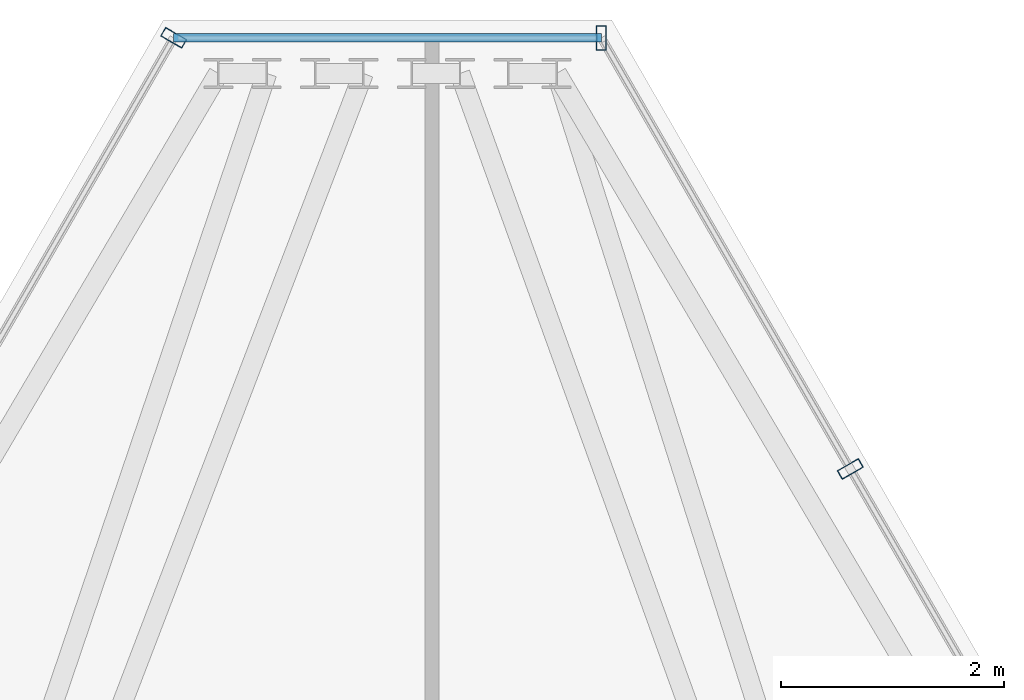
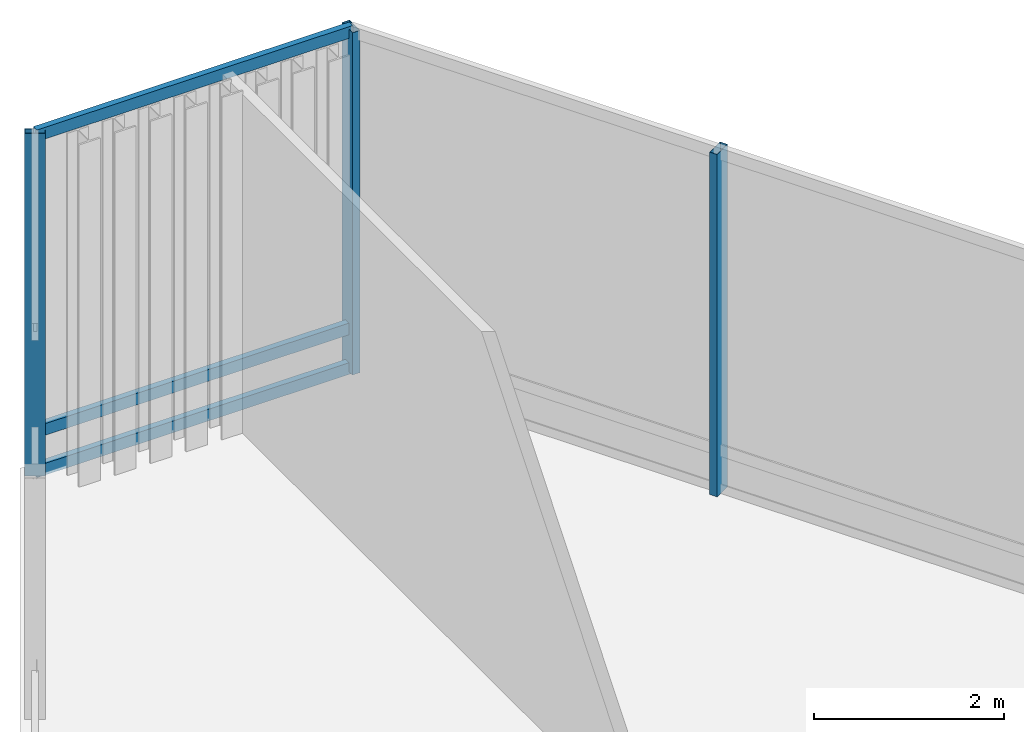
# One storey, part 18 of 25: 6 members, 3 elements without a shape of their own.
"""IFC4 building model written with IfcOpenShell, lengths in metres."""

from ifc_helpers import new_model, si_unit, direction, frame, origin, origin_2d, place, context, subcontext, project, spatial, hollow_rectangle, extrude, material, layer, layer_set, material_profile, profile_set, type_object, element, aggregate, save


model = new_model("IFC4")

# Units and contexts
model_context = context("Model", 3, precision=1e-05, world=origin(), true_north=direction((0.0, 1.0)))
body_context = subcontext(model_context, "Body", "Model", "MODEL_VIEW")
ifc_project = project(units=[si_unit("LENGTHUNIT", "METRE"), si_unit("AREAUNIT", "SQUARE_METRE"), si_unit("VOLUMEUNIT", "CUBIC_METRE"), si_unit("PLANEANGLEUNIT", "RADIAN"), si_unit("MASSUNIT", "GRAM", prefix="KILO")], contexts=[model_context])

# Site, building, storey
site_placement = place(None, origin())
site = spatial("IfcSite", under=ifc_project, at=site_placement, CompositionType="ELEMENT")
building_placement = place(site_placement, origin())
building = spatial("IfcBuilding", under=site, at=building_placement, Name="Ndaravel Arena Tower", CompositionType="ELEMENT")
storey_placement = place(building_placement, frame((0.0, 0.0, 303.300048828125)))
storey = spatial("IfcBuildingStorey", under=building, at=storey_placement, Name="L74", CompositionType="ELEMENT", Elevation=303.300048828125)

# Curtain wall, member
ifc_material_1 = material(Name="Aluminium", Category="aluminium")
ifc_layer = layer(ifc_material_1, 0.179931640625)
ifc_layer_set = layer_set([ifc_layer], Name="Aluminium")
curtain_wall_type = type_object("IfcCurtainWallType", Name="CW-SYS-04", PredefinedType="NOTDEFINED", material=ifc_layer_set)
curtain_wall_1_placement = place(storey_placement, origin())
curtain_wall_1 = element("IfcCurtainWall", 1, at=curtain_wall_1_placement, inside=storey, type_object=curtain_wall_type, Name="L74 Faceted Crystal Curtain Wall CW-L74-E03", PredefinedType="NOTDEFINED")
ifc_material_2 = material(Name="Aluminium", Category="aluminium")
ifc_material_profile_1 = material_profile(ifc_material_2, hollow_rectangle(XDim=0.090087890625, YDim=0.219970703125, WallThickness=0.0048828125, at=origin_2d()), Name="CW MULLION 90x220x5")
ifc_profile_set_1 = profile_set([ifc_material_profile_1], Name="Aluminium")
member_type_1 = type_object("IfcMemberType", Name="MEM-CW-MUL220", PredefinedType="MULLION", material=ifc_profile_set_1)
member_1_placement = place(storey_placement, frame((46.15478515625, 39.454345703125, 0.0), z_axis=(0.0, 0.0, 1.0), x_axis=(-0.5, 0.866025403784, 0.0)))
member_1 = element("IfcMember", 2, at=member_1_placement, type_object=member_type_1, Name="CW-L74-E03 Mullion 08", PredefinedType="MULLION", context=body_context, shape_type="SweptSolid", body=[
    extrude(hollow_rectangle(XDim=0.090087890625, YDim=0.219970703125, WallThickness=0.0048828125, at=origin_2d()), origin(), (0.0, 0.0, 1.0), 4.39990234375),
])
aggregate(curtain_wall_1, [member_1])

curtain_wall_2_placement = place(storey_placement, origin())
curtain_wall_2 = element("IfcCurtainWall", 3, at=curtain_wall_2_placement, inside=storey, type_object=curtain_wall_type, Name="L74 Faceted Crystal Curtain Wall CW-L74-E04", PredefinedType="NOTDEFINED")
member_2_placement = place(storey_placement, frame((43.919921875, 43.325439453125, 0.0), z_axis=(0.0, 0.0, 1.0), x_axis=(-1.0, 0.0, 0.0)))
member_2 = element("IfcMember", 4, at=member_2_placement, type_object=member_type_1, Name="CW-L74-E04 Mullion 00", PredefinedType="MULLION", context=body_context, shape_type="SweptSolid", body=[
    extrude(hollow_rectangle(XDim=0.090087890625, YDim=0.219970703125, WallThickness=0.0048828125, at=origin_2d()), origin(), (0.0, 0.0, 1.0), 4.39990234375),
])

curtain_wall_3_placement = place(storey_placement, origin())
curtain_wall_3 = element("IfcCurtainWall", 5, at=curtain_wall_3_placement, inside=storey, type_object=curtain_wall_type, Name="L74 Faceted Crystal Curtain Wall CW-L74-E05", PredefinedType="NOTDEFINED")
member_3_placement = place(storey_placement, frame((40.080078125, 43.325439453125, 0.0), z_axis=(0.0, 0.0, 1.0), x_axis=(-0.5, -0.866025403784, 0.0)))
member_3 = element("IfcMember", 6, at=member_3_placement, type_object=member_type_1, Name="CW-L74-E05 Mullion 00", PredefinedType="MULLION", context=body_context, shape_type="SweptSolid", body=[
    extrude(hollow_rectangle(XDim=0.090087890625, YDim=0.219970703125, WallThickness=0.0048828125, at=origin_2d()), origin(), (0.0, 0.0, 1.0), 4.39990234375),
])
aggregate(curtain_wall_3, [member_3])

# Member
ifc_material_3 = material(Name="Aluminium", Category="aluminium")
ifc_material_profile_2 = material_profile(ifc_material_3, hollow_rectangle(XDim=0.074951171875, YDim=0.14990234375, WallThickness=0.00390625, at=origin_2d()), Name="CW TRANSOM 75x150x4")
ifc_profile_set_2 = profile_set([ifc_material_profile_2], Name="Aluminium")
member_type_2 = type_object("IfcMemberType", Name="MEM-CW-TRN150", PredefinedType="USERDEFINED", material=ifc_profile_set_2)
member_4_placement = place(storey_placement, frame((43.919921875, 43.325439453125, 0.0400390625), z_axis=(-1.0, 0.0, 0.0), x_axis=(0.0, -1.0, 0.0)))
member_4 = element("IfcMember", 7, at=member_4_placement, type_object=member_type_2, Name="CW-L74-E04 Transom 01", ObjectType="TRANSOM", PredefinedType="USERDEFINED", context=body_context, shape_type="SweptSolid", body=[
    extrude(hollow_rectangle(XDim=0.074951171875, YDim=0.14990234375, WallThickness=0.00390625, at=origin_2d()), origin(), (0.0, 0.0, 1.0), 3.83984375),
])

member_5_placement = place(storey_placement, frame((43.919921875, 43.325439453125, 0.550048828125), z_axis=(-1.0, 0.0, 0.0), x_axis=(0.0, -1.0, 0.0)))
member_5 = element("IfcMember", 8, at=member_5_placement, type_object=member_type_2, Name="CW-L74-E04 Transom 02", ObjectType="TRANSOM", PredefinedType="USERDEFINED", context=body_context, shape_type="SweptSolid", body=[
    extrude(hollow_rectangle(XDim=0.074951171875, YDim=0.14990234375, WallThickness=0.00390625, at=origin_2d()), origin(), (0.0, 0.0, 1.0), 3.83984375),
])

member_6_placement = place(storey_placement, frame((43.919921875, 43.325439453125, 4.35986328125), z_axis=(-1.0, 0.0, 0.0), x_axis=(0.0, -1.0, 0.0)))
member_6 = element("IfcMember", 9, at=member_6_placement, type_object=member_type_2, Name="CW-L74-E04 Transom 03", ObjectType="TRANSOM", PredefinedType="USERDEFINED", context=body_context, shape_type="SweptSolid", body=[
    extrude(hollow_rectangle(XDim=0.074951171875, YDim=0.14990234375, WallThickness=0.00390625, at=origin_2d()), origin(), (0.0, 0.0, 1.0), 3.83984375),
])

aggregate(curtain_wall_2, [member_2, member_4, member_5, member_6])

save(model, "model.ifc")
